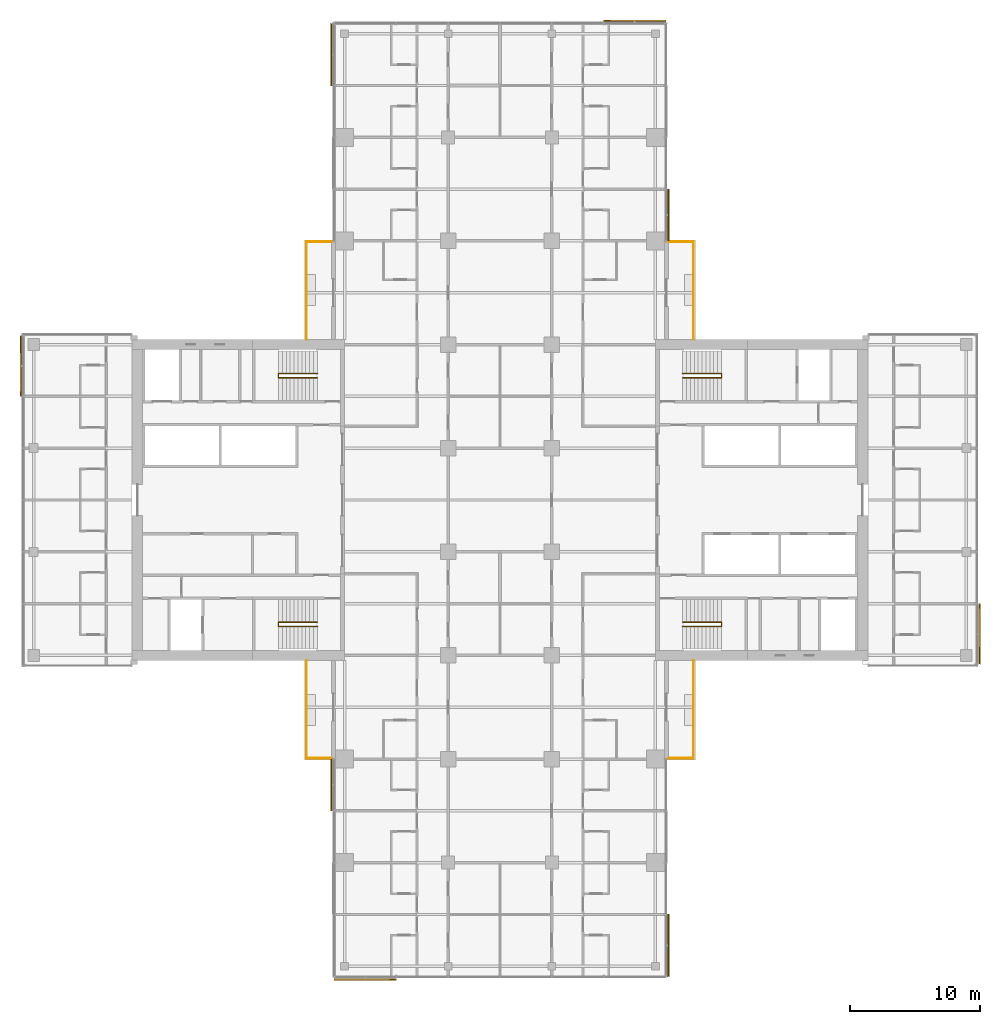
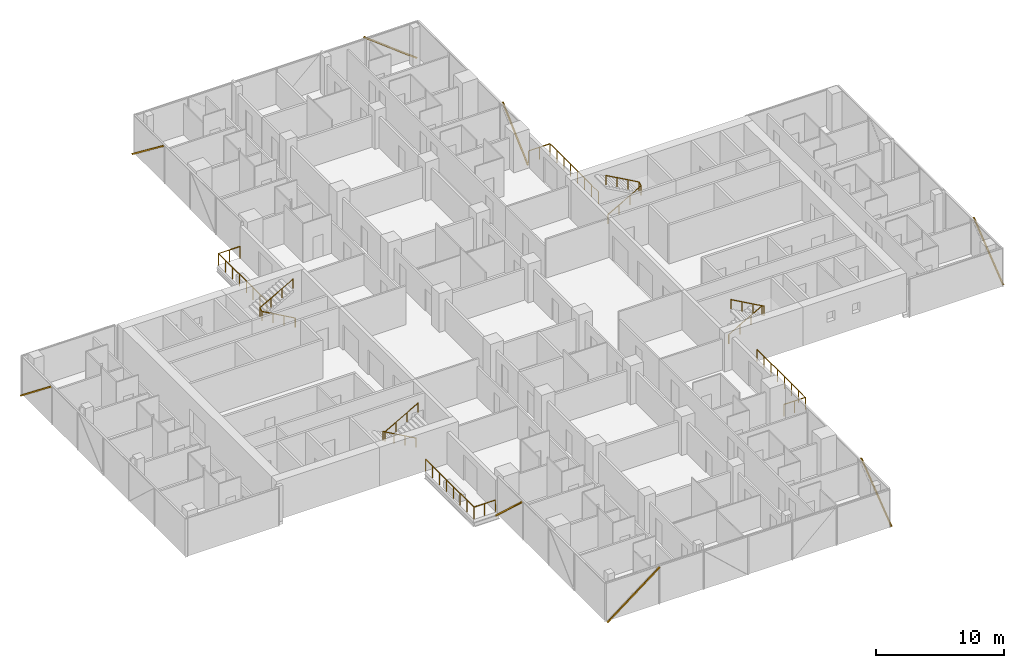
# One storey, part 29 of 29: 8 railings, 8 shading devices, 8 elements without a shape of their own.
"""IFC4 building model written with IfcOpenShell, lengths in metres."""

from ifc_helpers import new_model, si_unit, direction, frame, origin, origin_2d, place, context, subcontext, project, spatial, rectangle, circle, extrude, material, material_profile, profile_set, type_object, element, aggregate, save


model = new_model("IFC4")

# Units and contexts
model_context = context("Model", 3, precision=1e-05, world=origin(), true_north=direction((0.0, 1.0)))
body_context = subcontext(model_context, "Body", "Model", "MODEL_VIEW")
ifc_project = project(units=[si_unit("LENGTHUNIT", "METRE"), si_unit("AREAUNIT", "SQUARE_METRE"), si_unit("VOLUMEUNIT", "CUBIC_METRE"), si_unit("PLANEANGLEUNIT", "RADIAN"), si_unit("MASSUNIT", "GRAM", prefix="KILO")], contexts=[model_context])

# Site, building, storey
site_placement = place(None, origin())
site = spatial("IfcSite", under=ifc_project, at=site_placement, CompositionType="ELEMENT")
building_placement = place(site_placement, origin())
building = spatial("IfcBuilding", under=site, at=building_placement, Name="Crosswind Convention Tower", CompositionType="ELEMENT")
storey_placement = place(building_placement, frame((0.0, 0.0, 60.89990234375)))
storey = spatial("IfcBuildingStorey", under=building, at=storey_placement, Name="L09", CompositionType="ELEMENT", Elevation=60.89990234375)

# Railings
ifc_material_1 = material(Name="Steel and laminated glass balustrade", Category="steel")
railing_type_1 = type_object("IfcRailingType", Name="BALCONY BALUSTRADE 1150", PredefinedType="BALUSTRADE", material=ifc_material_1)
railing_1_placement = place(storey_placement, frame((139.93994140625, 112.39990234375, 0.0)))
element("IfcRailing", 1, at=railing_1_placement, inside=storey, type_object=railing_type_1, Name="R11 balcony balustrade L09 N-E.1-1", PredefinedType="BALUSTRADE", context=body_context, shape_type="SweptSolid", body=[
    extrude(circle(Radius=0.02392578125, at=origin_2d()), frame((0.0, 0.0, 1.1259765625), z_axis=(0.0, 1.0, 0.0), x_axis=(-1.0, 0.0, 0.0)), (0.0, 0.0, 1.0), 7.5400390625),
    extrude(circle(Radius=0.02392578125, at=origin_2d()), frame((0.0, 7.5400390625, 1.1259765625), z_axis=(-1.0, 0.0, 0.0), x_axis=(0.0, -1.0, 0.0)), (0.0, 0.0, 1.0), 1.9189453125),
    extrude(circle(Radius=0.02099609375, at=origin_2d()), origin(), (0.0, 0.0, 1.0), 1.101806640625),
    extrude(circle(Radius=0.02099609375, at=origin_2d()), frame((0.0, 1.0771484375, 0.0)), (0.0, 0.0, 1.0), 1.101806640625),
    extrude(circle(Radius=0.02099609375, at=origin_2d()), frame((0.0, 2.154296875, 0.0)), (0.0, 0.0, 1.0), 1.101806640625),
    extrude(circle(Radius=0.02099609375, at=origin_2d()), frame((0.0, 3.2314453125, 0.0)), (0.0, 0.0, 1.0), 1.101806640625),
    extrude(circle(Radius=0.02099609375, at=origin_2d()), frame((0.0, 4.30859375, 0.0)), (0.0, 0.0, 1.0), 1.101806640625),
    extrude(circle(Radius=0.02099609375, at=origin_2d()), frame((0.0, 5.3857421875, 0.0)), (0.0, 0.0, 1.0), 1.101806640625),
    extrude(circle(Radius=0.02099609375, at=origin_2d()), frame((0.0, 6.462890625, 0.0)), (0.0, 0.0, 1.0), 1.101806640625),
    extrude(circle(Radius=0.02099609375, at=origin_2d()), frame((0.0, 7.5400390625, 0.0)), (0.0, 0.0, 1.0), 1.101806640625),
    extrude(circle(Radius=0.02099609375, at=origin_2d()), frame((-0.95947265625, 7.5400390625, 0.0)), (0.0, 0.0, 1.0), 1.101806640625),
    extrude(circle(Radius=0.02099609375, at=origin_2d()), frame((-1.9189453125, 7.5400390625, 0.0)), (0.0, 0.0, 1.0), 1.101806640625),
])
railing_2_placement = place(storey_placement, frame((110.06005859375, 112.39990234375, 0.0)))
element("IfcRailing", 2, at=railing_2_placement, inside=storey, type_object=railing_type_1, Name="R11 balcony balustrade L09 N-W.1-3", PredefinedType="BALUSTRADE", context=body_context, shape_type="SweptSolid", body=[
    extrude(circle(Radius=0.02392578125, at=origin_2d()), frame((0.0, 0.0, 1.1259765625), z_axis=(0.0, 1.0, 0.0), x_axis=(-1.0, 0.0, 0.0)), (0.0, 0.0, 1.0), 7.5400390625),
    extrude(circle(Radius=0.02392578125, at=origin_2d()), frame((0.0, 7.5400390625, 1.1259765625), z_axis=(1.0, 0.0, 0.0), x_axis=(0.0, 1.0, 0.0)), (0.0, 0.0, 1.0), 1.9189453125),
    extrude(circle(Radius=0.02099609375, at=origin_2d()), origin(), (0.0, 0.0, 1.0), 1.101806640625),
    extrude(circle(Radius=0.02099609375, at=origin_2d()), frame((0.0, 1.0771484375, 0.0)), (0.0, 0.0, 1.0), 1.101806640625),
    extrude(circle(Radius=0.02099609375, at=origin_2d()), frame((0.0, 2.154296875, 0.0)), (0.0, 0.0, 1.0), 1.101806640625),
    extrude(circle(Radius=0.02099609375, at=origin_2d()), frame((0.0, 3.2314453125, 0.0)), (0.0, 0.0, 1.0), 1.101806640625),
    extrude(circle(Radius=0.02099609375, at=origin_2d()), frame((0.0, 4.30859375, 0.0)), (0.0, 0.0, 1.0), 1.101806640625),
    extrude(circle(Radius=0.02099609375, at=origin_2d()), frame((0.0, 5.3857421875, 0.0)), (0.0, 0.0, 1.0), 1.101806640625),
    extrude(circle(Radius=0.02099609375, at=origin_2d()), frame((0.0, 6.462890625, 0.0)), (0.0, 0.0, 1.0), 1.101806640625),
    extrude(circle(Radius=0.02099609375, at=origin_2d()), frame((0.0, 7.5400390625, 0.0)), (0.0, 0.0, 1.0), 1.101806640625),
    extrude(circle(Radius=0.02099609375, at=origin_2d()), frame((0.95947265625, 7.5400390625, 0.0)), (0.0, 0.0, 1.0), 1.101806640625),
    extrude(circle(Radius=0.02099609375, at=origin_2d()), frame((1.9189453125, 7.5400390625, 0.0)), (0.0, 0.0, 1.0), 1.101806640625),
])
railing_3_placement = place(storey_placement, frame((110.06005859375, 87.60009765625, 0.0)))
element("IfcRailing", 3, at=railing_3_placement, inside=storey, type_object=railing_type_1, Name="R11 balcony balustrade L09 S-W.1-1", PredefinedType="BALUSTRADE", context=body_context, shape_type="SweptSolid", body=[
    extrude(circle(Radius=0.02392578125, at=origin_2d()), frame((0.0, 0.0, 1.1259765625), z_axis=(0.0, -1.0, 0.0), x_axis=(1.0, 0.0, 0.0)), (0.0, 0.0, 1.0), 7.5400390625),
    extrude(circle(Radius=0.02392578125, at=origin_2d()), frame((0.0, -7.5400390625, 1.1259765625), z_axis=(1.0, 0.0, 0.0), x_axis=(0.0, 1.0, 0.0)), (0.0, 0.0, 1.0), 1.9189453125),
    extrude(circle(Radius=0.02099609375, at=origin_2d()), origin(), (0.0, 0.0, 1.0), 1.101806640625),
    extrude(circle(Radius=0.02099609375, at=origin_2d()), frame((0.0, -1.0771484375, 0.0)), (0.0, 0.0, 1.0), 1.101806640625),
    extrude(circle(Radius=0.02099609375, at=origin_2d()), frame((0.0, -2.154296875, 0.0)), (0.0, 0.0, 1.0), 1.101806640625),
    extrude(circle(Radius=0.02099609375, at=origin_2d()), frame((0.0, -3.2314453125, 0.0)), (0.0, 0.0, 1.0), 1.101806640625),
    extrude(circle(Radius=0.02099609375, at=origin_2d()), frame((0.0, -4.30859375, 0.0)), (0.0, 0.0, 1.0), 1.101806640625),
    extrude(circle(Radius=0.02099609375, at=origin_2d()), frame((0.0, -5.3857421875, 0.0)), (0.0, 0.0, 1.0), 1.101806640625),
    extrude(circle(Radius=0.02099609375, at=origin_2d()), frame((0.0, -6.462890625, 0.0)), (0.0, 0.0, 1.0), 1.101806640625),
    extrude(circle(Radius=0.02099609375, at=origin_2d()), frame((0.0, -7.5400390625, 0.0)), (0.0, 0.0, 1.0), 1.101806640625),
    extrude(circle(Radius=0.02099609375, at=origin_2d()), frame((0.95947265625, -7.5400390625, 0.0)), (0.0, 0.0, 1.0), 1.101806640625),
    extrude(circle(Radius=0.02099609375, at=origin_2d()), frame((1.9189453125, -7.5400390625, 0.0)), (0.0, 0.0, 1.0), 1.101806640625),
])
railing_4_placement = place(storey_placement, frame((139.93994140625, 87.60009765625, 0.0)))
element("IfcRailing", 4, at=railing_4_placement, inside=storey, type_object=railing_type_1, Name="R11 balcony balustrade L09 S-E.1-3", PredefinedType="BALUSTRADE", context=body_context, shape_type="SweptSolid", body=[
    extrude(circle(Radius=0.02392578125, at=origin_2d()), frame((0.0, 0.0, 1.1259765625), z_axis=(0.0, -1.0, 0.0), x_axis=(1.0, 0.0, 0.0)), (0.0, 0.0, 1.0), 7.5400390625),
    extrude(circle(Radius=0.02392578125, at=origin_2d()), frame((0.0, -7.5400390625, 1.1259765625), z_axis=(-1.0, 0.0, 0.0), x_axis=(0.0, -1.0, 0.0)), (0.0, 0.0, 1.0), 1.9189453125),
    extrude(circle(Radius=0.02099609375, at=origin_2d()), origin(), (0.0, 0.0, 1.0), 1.101806640625),
    extrude(circle(Radius=0.02099609375, at=origin_2d()), frame((0.0, -1.0771484375, 0.0)), (0.0, 0.0, 1.0), 1.101806640625),
    extrude(circle(Radius=0.02099609375, at=origin_2d()), frame((0.0, -2.154296875, 0.0)), (0.0, 0.0, 1.0), 1.101806640625),
    extrude(circle(Radius=0.02099609375, at=origin_2d()), frame((0.0, -3.2314453125, 0.0)), (0.0, 0.0, 1.0), 1.101806640625),
    extrude(circle(Radius=0.02099609375, at=origin_2d()), frame((0.0, -4.30859375, 0.0)), (0.0, 0.0, 1.0), 1.101806640625),
    extrude(circle(Radius=0.02099609375, at=origin_2d()), frame((0.0, -5.3857421875, 0.0)), (0.0, 0.0, 1.0), 1.101806640625),
    extrude(circle(Radius=0.02099609375, at=origin_2d()), frame((0.0, -6.462890625, 0.0)), (0.0, 0.0, 1.0), 1.101806640625),
    extrude(circle(Radius=0.02099609375, at=origin_2d()), frame((0.0, -7.5400390625, 0.0)), (0.0, 0.0, 1.0), 1.101806640625),
    extrude(circle(Radius=0.02099609375, at=origin_2d()), frame((-0.95947265625, -7.5400390625, 0.0)), (0.0, 0.0, 1.0), 1.101806640625),
    extrude(circle(Radius=0.02099609375, at=origin_2d()), frame((-1.9189453125, -7.5400390625, 0.0)), (0.0, 0.0, 1.0), 1.101806640625),
])
ifc_material_2 = material(Name="Stainless steel", Category="steel")
railing_type_2 = type_object("IfcRailingType", Name="Stair handrail 900", PredefinedType="HANDRAIL", material=ifc_material_2)
railing_5_placement = place(storey_placement, frame((139.10009765625, 109.43994140625, 0.168212890625)))
element("IfcRailing", 5, at=railing_5_placement, inside=storey, type_object=railing_type_2, Name="Stair ST1 handrail L09", PredefinedType="HANDRAIL", context=body_context, shape_type="SweptSolid", body=[
    extrude(circle(Radius=0.02392578125, at=origin_2d()), frame((0.0, 0.0, 0.8759765625), z_axis=(0.872272294576, 0.0, 0.489020494575), x_axis=(0.0, 1.0, 0.0)), (0.0, 0.0, 1.0), 3.439208984375),
    extrude(circle(Radius=0.02392578125, at=origin_2d()), frame((3.0, 0.0, 2.5576171875), z_axis=(0.0, 0.885196349292, 0.465217608438), x_axis=(-1.0, 0.0, 0.0)), (0.0, 0.0, 1.0), 0.361572265625),
    extrude(circle(Radius=0.02392578125, at=origin_2d()), frame((3.0, 0.320068359375, 2.72607421875), z_axis=(-0.872272294576, 0.0, 0.489020494575), x_axis=(0.0, -1.0, 0.0)), (0.0, 0.0, 1.0), 3.439208984375),
    extrude(circle(Radius=0.02099609375, at=origin_2d()), origin(), (0.0, 0.0, 1.0), 0.851806640625),
    extrude(circle(Radius=0.02099609375, at=origin_2d()), frame((1.0, 0.0, 0.560546875)), (0.0, 0.0, 1.0), 0.851806640625),
    extrude(circle(Radius=0.02099609375, at=origin_2d()), frame((2.0, 0.0, 1.121337890625)), (0.0, 0.0, 1.0), 0.851806640625),
    extrude(circle(Radius=0.02099609375, at=origin_2d()), frame((3.0, 0.0, 1.681884765625)), (0.0, 0.0, 1.0), 0.851806640625),
    extrude(circle(Radius=0.02099609375, at=origin_2d()), frame((3.0, 0.320068359375, 1.85009765625)), (0.0, 0.0, 1.0), 0.851806640625),
    extrude(circle(Radius=0.02099609375, at=origin_2d()), frame((2.0, 0.320068359375, 2.41064453125)), (0.0, 0.0, 1.0), 0.851806640625),
    extrude(circle(Radius=0.02099609375, at=origin_2d()), frame((1.0, 0.320068359375, 2.971435546875)), (0.0, 0.0, 1.0), 0.851806640625),
    extrude(circle(Radius=0.02099609375, at=origin_2d()), frame((0.0, 0.320068359375, 3.531982421875)), (0.0, 0.0, 1.0), 0.851806640625),
])
railing_6_placement = place(storey_placement, frame((139.10009765625, 90.56005859375, 0.168212890625)))
element("IfcRailing", 6, at=railing_6_placement, inside=storey, type_object=railing_type_2, Name="Stair ST2 handrail L09", PredefinedType="HANDRAIL", context=body_context, shape_type="SweptSolid", body=[
    extrude(circle(Radius=0.02392578125, at=origin_2d()), frame((0.0, 0.0, 0.8759765625), z_axis=(0.872272294576, 0.0, 0.489020494575), x_axis=(0.0, 1.0, 0.0)), (0.0, 0.0, 1.0), 3.439208984375),
    extrude(circle(Radius=0.02392578125, at=origin_2d()), frame((3.0, 0.0, 2.5576171875), z_axis=(0.0, -0.885196349292, 0.465217608438), x_axis=(1.0, 0.0, 0.0)), (0.0, 0.0, 1.0), 0.361572265625),
    extrude(circle(Radius=0.02392578125, at=origin_2d()), frame((3.0, -0.320068359375, 2.72607421875), z_axis=(-0.872272294576, 0.0, 0.489020494575), x_axis=(0.0, -1.0, 0.0)), (0.0, 0.0, 1.0), 3.439208984375),
    extrude(circle(Radius=0.02099609375, at=origin_2d()), origin(), (0.0, 0.0, 1.0), 0.851806640625),
    extrude(circle(Radius=0.02099609375, at=origin_2d()), frame((1.0, 0.0, 0.560546875)), (0.0, 0.0, 1.0), 0.851806640625),
    extrude(circle(Radius=0.02099609375, at=origin_2d()), frame((2.0, 0.0, 1.121337890625)), (0.0, 0.0, 1.0), 0.851806640625),
    extrude(circle(Radius=0.02099609375, at=origin_2d()), frame((3.0, 0.0, 1.681884765625)), (0.0, 0.0, 1.0), 0.851806640625),
    extrude(circle(Radius=0.02099609375, at=origin_2d()), frame((3.0, -0.320068359375, 1.85009765625)), (0.0, 0.0, 1.0), 0.851806640625),
    extrude(circle(Radius=0.02099609375, at=origin_2d()), frame((2.0, -0.320068359375, 2.41064453125)), (0.0, 0.0, 1.0), 0.851806640625),
    extrude(circle(Radius=0.02099609375, at=origin_2d()), frame((1.0, -0.320068359375, 2.971435546875)), (0.0, 0.0, 1.0), 0.851806640625),
    extrude(circle(Radius=0.02099609375, at=origin_2d()), frame((0.0, -0.320068359375, 3.531982421875)), (0.0, 0.0, 1.0), 0.851806640625),
])
railing_7_placement = place(storey_placement, frame((110.89990234375, 90.56005859375, 0.168212890625)))
element("IfcRailing", 7, at=railing_7_placement, inside=storey, type_object=railing_type_2, Name="Stair ST3 handrail L09", PredefinedType="HANDRAIL", context=body_context, shape_type="SweptSolid", body=[
    extrude(circle(Radius=0.02392578125, at=origin_2d()), frame((0.0, 0.0, 0.8759765625), z_axis=(-0.872272294576, 0.0, 0.489020494575), x_axis=(0.0, -1.0, 0.0)), (0.0, 0.0, 1.0), 3.439208984375),
    extrude(circle(Radius=0.02392578125, at=origin_2d()), frame((-3.0, 0.0, 2.5576171875), z_axis=(0.0, -0.885196349292, 0.465217608438), x_axis=(1.0, 0.0, 0.0)), (0.0, 0.0, 1.0), 0.361572265625),
    extrude(circle(Radius=0.02392578125, at=origin_2d()), frame((-3.0, -0.320068359375, 2.72607421875), z_axis=(0.872272294576, 0.0, 0.489020494575), x_axis=(0.0, 1.0, 0.0)), (0.0, 0.0, 1.0), 3.439208984375),
    extrude(circle(Radius=0.02099609375, at=origin_2d()), origin(), (0.0, 0.0, 1.0), 0.851806640625),
    extrude(circle(Radius=0.02099609375, at=origin_2d()), frame((-1.0, 0.0, 0.560546875)), (0.0, 0.0, 1.0), 0.851806640625),
    extrude(circle(Radius=0.02099609375, at=origin_2d()), frame((-2.0, 0.0, 1.121337890625)), (0.0, 0.0, 1.0), 0.851806640625),
    extrude(circle(Radius=0.02099609375, at=origin_2d()), frame((-3.0, 0.0, 1.681884765625)), (0.0, 0.0, 1.0), 0.851806640625),
    extrude(circle(Radius=0.02099609375, at=origin_2d()), frame((-3.0, -0.320068359375, 1.85009765625)), (0.0, 0.0, 1.0), 0.851806640625),
    extrude(circle(Radius=0.02099609375, at=origin_2d()), frame((-2.0, -0.320068359375, 2.41064453125)), (0.0, 0.0, 1.0), 0.851806640625),
    extrude(circle(Radius=0.02099609375, at=origin_2d()), frame((-1.0, -0.320068359375, 2.971435546875)), (0.0, 0.0, 1.0), 0.851806640625),
    extrude(circle(Radius=0.02099609375, at=origin_2d()), frame((0.0, -0.320068359375, 3.531982421875)), (0.0, 0.0, 1.0), 0.851806640625),
])
railing_8_placement = place(storey_placement, frame((110.89990234375, 109.43994140625, 0.168212890625)))
element("IfcRailing", 8, at=railing_8_placement, inside=storey, type_object=railing_type_2, Name="Stair ST4 handrail L09", PredefinedType="HANDRAIL", context=body_context, shape_type="SweptSolid", body=[
    extrude(circle(Radius=0.02392578125, at=origin_2d()), frame((0.0, 0.0, 0.8759765625), z_axis=(-0.872272294576, 0.0, 0.489020494575), x_axis=(0.0, -1.0, 0.0)), (0.0, 0.0, 1.0), 3.439208984375),
    extrude(circle(Radius=0.02392578125, at=origin_2d()), frame((-3.0, 0.0, 2.5576171875), z_axis=(0.0, 0.885196349292, 0.465217608438), x_axis=(-1.0, 0.0, 0.0)), (0.0, 0.0, 1.0), 0.361572265625),
    extrude(circle(Radius=0.02392578125, at=origin_2d()), frame((-3.0, 0.320068359375, 2.72607421875), z_axis=(0.872272294576, 0.0, 0.489020494575), x_axis=(0.0, 1.0, 0.0)), (0.0, 0.0, 1.0), 3.439208984375),
    extrude(circle(Radius=0.02099609375, at=origin_2d()), origin(), (0.0, 0.0, 1.0), 0.851806640625),
    extrude(circle(Radius=0.02099609375, at=origin_2d()), frame((-1.0, 0.0, 0.560546875)), (0.0, 0.0, 1.0), 0.851806640625),
    extrude(circle(Radius=0.02099609375, at=origin_2d()), frame((-2.0, 0.0, 1.121337890625)), (0.0, 0.0, 1.0), 0.851806640625),
    extrude(circle(Radius=0.02099609375, at=origin_2d()), frame((-3.0, 0.0, 1.681884765625)), (0.0, 0.0, 1.0), 0.851806640625),
    extrude(circle(Radius=0.02099609375, at=origin_2d()), frame((-3.0, 0.320068359375, 1.85009765625)), (0.0, 0.0, 1.0), 0.851806640625),
    extrude(circle(Radius=0.02099609375, at=origin_2d()), frame((-2.0, 0.320068359375, 2.41064453125)), (0.0, 0.0, 1.0), 0.851806640625),
    extrude(circle(Radius=0.02099609375, at=origin_2d()), frame((-1.0, 0.320068359375, 2.971435546875)), (0.0, 0.0, 1.0), 0.851806640625),
    extrude(circle(Radius=0.02099609375, at=origin_2d()), frame((0.0, 0.320068359375, 3.531982421875)), (0.0, 0.0, 1.0), 0.851806640625),
])

# Curtain wall, shading device
ifc_material_3 = material(Name="Aluminium unitised curtain wall", Category="aluminium")
curtain_wall_type = type_object("IfcCurtainWallType", Name="HOTEL UNITISED WALL 200", PredefinedType="USERDEFINED", material=ifc_material_3)
curtain_wall_1_placement = place(storey_placement, origin())
curtain_wall_1 = element("IfcCurtainWall", 9, at=curtain_wall_1_placement, inside=storey, type_object=curtain_wall_type, Name="CW2 L09 E-TIP 1", ObjectType="UNITISED", PredefinedType="USERDEFINED")
ifc_material_4 = material(Name="Extruded terracotta", Category="masonry")
ifc_material_profile = material_profile(ifc_material_4, rectangle(XDim=0.10009765625, YDim=0.1201171875, at=origin_2d()), Name="TC 100X120")
ifc_profile_set = profile_set([ifc_material_profile], Name="Extruded terracotta")
shading_device_type = type_object("IfcShadingDeviceType", Name="TERRACOTTA BAGUETTE 120X100", PredefinedType="USERDEFINED", material=ifc_profile_set)
shading_device_1_placement = place(storey_placement, frame((162.008056640625, 87.364990234375, -0.27978515625), z_axis=(0.0, 0.784784722195, 0.619768456611), x_axis=(-1.0, 0.0, 0.0)))
shading_device_1 = element("IfcShadingDevice", 10, at=shading_device_1_placement, type_object=shading_device_type, Name="CW2 terracotta baguette 1", ObjectType="BAGUETTE", PredefinedType="USERDEFINED", context=body_context, shape_type="SweptSolid", body=[
    extrude(rectangle(XDim=0.10009765625, YDim=0.1201171875, at=origin_2d()), origin(), (0.0, 0.0, 1.0), 5.86474609375),
])
aggregate(curtain_wall_1, [shading_device_1])

curtain_wall_2_placement = place(storey_placement, origin())
curtain_wall_2 = element("IfcCurtainWall", 11, at=curtain_wall_2_placement, inside=storey, type_object=curtain_wall_type, Name="CW2 L09 N-E 1", ObjectType="UNITISED", PredefinedType="USERDEFINED")
shading_device_2_placement = place(storey_placement, frame((138.008056640625, 120.032470703125, -0.27978515625), z_axis=(0.0, 0.734579751706, 0.678522356583), x_axis=(-1.0, 0.0, 0.0)))
shading_device_2 = element("IfcShadingDevice", 12, at=shading_device_2_placement, type_object=shading_device_type, Name="CW2 terracotta baguette 1", ObjectType="BAGUETTE", PredefinedType="USERDEFINED", context=body_context, shape_type="SweptSolid", body=[
    extrude(rectangle(XDim=0.10009765625, YDim=0.1201171875, at=origin_2d()), origin(), (0.0, 0.0, 1.0), 5.35693359375),
])
aggregate(curtain_wall_2, [shading_device_2])

curtain_wall_3_placement = place(storey_placement, origin())
curtain_wall_3 = element("IfcCurtainWall", 13, at=curtain_wall_3_placement, inside=storey, type_object=curtain_wall_type, Name="CW2 L09 N-TIP 1", ObjectType="UNITISED", PredefinedType="USERDEFINED")
shading_device_3_placement = place(storey_placement, frame((137.767578125, 137.008056640625, -0.27978515625), z_axis=(-0.793240872611, 0.0, 0.608907971716), x_axis=(0.0, -1.0, 0.0)))
shading_device_3 = element("IfcShadingDevice", 14, at=shading_device_3_placement, type_object=shading_device_type, Name="CW2 terracotta baguette 1", ObjectType="BAGUETTE", PredefinedType="USERDEFINED", context=body_context, shape_type="SweptSolid", body=[
    extrude(rectangle(XDim=0.10009765625, YDim=0.1201171875, at=origin_2d()), origin(), (0.0, 0.0, 1.0), 5.96923828125),
])
aggregate(curtain_wall_3, [shading_device_3])

curtain_wall_4_placement = place(storey_placement, origin())
curtain_wall_4 = element("IfcCurtainWall", 15, at=curtain_wall_4_placement, inside=storey, type_object=curtain_wall_type, Name="CW2 L09 N-W 1", ObjectType="UNITISED", PredefinedType="USERDEFINED")
shading_device_4_placement = place(storey_placement, frame((111.991943359375, 136.767578125, -0.27978515625), z_axis=(0.0, -0.793240872611, 0.608907971716), x_axis=(1.0, 0.0, 0.0)))
shading_device_4 = element("IfcShadingDevice", 16, at=shading_device_4_placement, type_object=shading_device_type, Name="CW2 terracotta baguette 1", ObjectType="BAGUETTE", PredefinedType="USERDEFINED", context=body_context, shape_type="SweptSolid", body=[
    extrude(rectangle(XDim=0.10009765625, YDim=0.1201171875, at=origin_2d()), origin(), (0.0, 0.0, 1.0), 5.96923828125),
])
aggregate(curtain_wall_4, [shading_device_4])

curtain_wall_5_placement = place(storey_placement, origin())
curtain_wall_5 = element("IfcCurtainWall", 17, at=curtain_wall_5_placement, inside=storey, type_object=curtain_wall_type, Name="CW2 L09 W-TIP 1", ObjectType="UNITISED", PredefinedType="USERDEFINED")
shading_device_5_placement = place(storey_placement, frame((87.991943359375, 112.635009765625, -0.27978515625), z_axis=(0.0, -0.784784722195, 0.619768456611), x_axis=(1.0, 0.0, 0.0)))
shading_device_5 = element("IfcShadingDevice", 18, at=shading_device_5_placement, type_object=shading_device_type, Name="CW2 terracotta baguette 1", ObjectType="BAGUETTE", PredefinedType="USERDEFINED", context=body_context, shape_type="SweptSolid", body=[
    extrude(rectangle(XDim=0.10009765625, YDim=0.1201171875, at=origin_2d()), origin(), (0.0, 0.0, 1.0), 5.86474609375),
])
aggregate(curtain_wall_5, [shading_device_5])

curtain_wall_6_placement = place(storey_placement, origin())
curtain_wall_6 = element("IfcCurtainWall", 19, at=curtain_wall_6_placement, inside=storey, type_object=curtain_wall_type, Name="CW2 L09 S-W 1", ObjectType="UNITISED", PredefinedType="USERDEFINED")
shading_device_6_placement = place(storey_placement, frame((111.991943359375, 79.967529296875, -0.27978515625), z_axis=(0.0, -0.734579751706, 0.678522356583), x_axis=(1.0, 0.0, 0.0)))
shading_device_6 = element("IfcShadingDevice", 20, at=shading_device_6_placement, type_object=shading_device_type, Name="CW2 terracotta baguette 1", ObjectType="BAGUETTE", PredefinedType="USERDEFINED", context=body_context, shape_type="SweptSolid", body=[
    extrude(rectangle(XDim=0.10009765625, YDim=0.1201171875, at=origin_2d()), origin(), (0.0, 0.0, 1.0), 5.35693359375),
])
aggregate(curtain_wall_6, [shading_device_6])

curtain_wall_7_placement = place(storey_placement, origin())
curtain_wall_7 = element("IfcCurtainWall", 21, at=curtain_wall_7_placement, inside=storey, type_object=curtain_wall_type, Name="CW2 L09 S-TIP 1", ObjectType="UNITISED", PredefinedType="USERDEFINED")
shading_device_7_placement = place(storey_placement, frame((112.232421875, 62.991943359375, -0.27978515625), z_axis=(0.793240872611, 0.0, 0.608907971716), x_axis=(0.0, 1.0, 0.0)))
shading_device_7 = element("IfcShadingDevice", 22, at=shading_device_7_placement, type_object=shading_device_type, Name="CW2 terracotta baguette 1", ObjectType="BAGUETTE", PredefinedType="USERDEFINED", context=body_context, shape_type="SweptSolid", body=[
    extrude(rectangle(XDim=0.10009765625, YDim=0.1201171875, at=origin_2d()), origin(), (0.0, 0.0, 1.0), 5.96923828125),
])
aggregate(curtain_wall_7, [shading_device_7])

curtain_wall_8_placement = place(storey_placement, origin())
curtain_wall_8 = element("IfcCurtainWall", 23, at=curtain_wall_8_placement, inside=storey, type_object=curtain_wall_type, Name="CW2 L09 S-E 1", ObjectType="UNITISED", PredefinedType="USERDEFINED")
shading_device_8_placement = place(storey_placement, frame((138.008056640625, 63.232421875, -0.27978515625), z_axis=(0.0, 0.793240872611, 0.608907971716), x_axis=(-1.0, 0.0, 0.0)))
shading_device_8 = element("IfcShadingDevice", 24, at=shading_device_8_placement, type_object=shading_device_type, Name="CW2 terracotta baguette 1", ObjectType="BAGUETTE", PredefinedType="USERDEFINED", context=body_context, shape_type="SweptSolid", body=[
    extrude(rectangle(XDim=0.10009765625, YDim=0.1201171875, at=origin_2d()), origin(), (0.0, 0.0, 1.0), 5.96923828125),
])
aggregate(curtain_wall_8, [shading_device_8])

save(model, "model.ifc")
